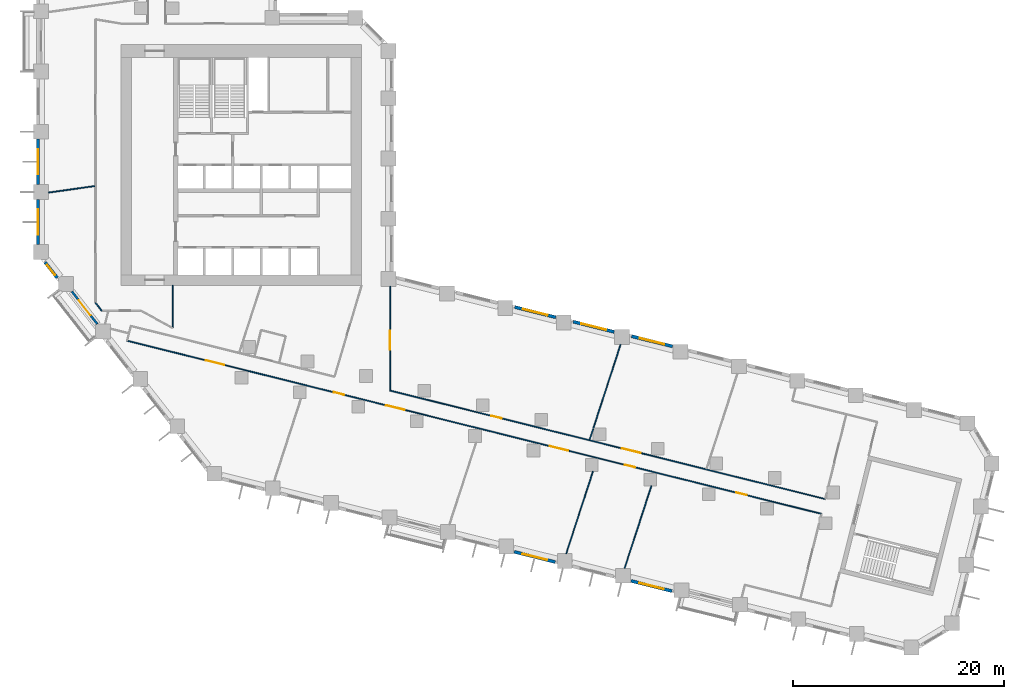
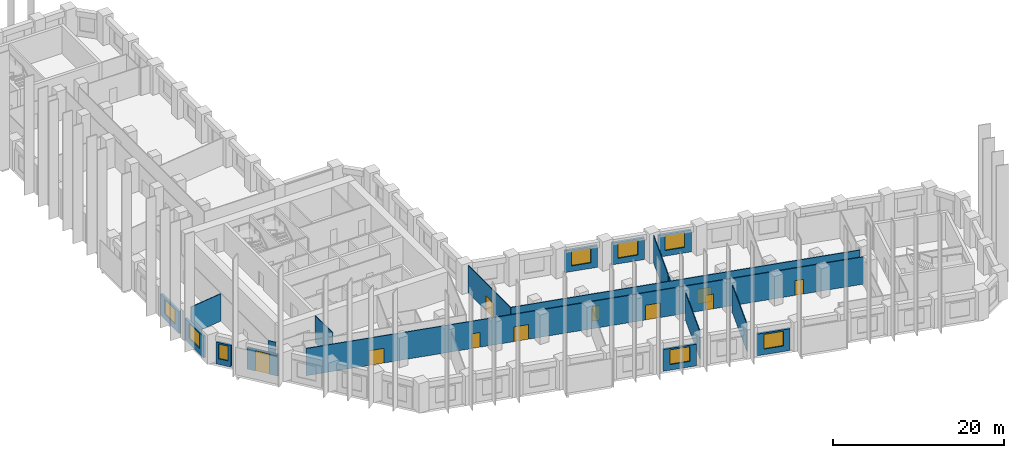
# One storey, part 4 of 12: 19 walls, 10 doors, 8 windows, 18 openings.
"""IFC4 building model written with IfcOpenShell, lengths in metres."""

import ifcopenshell
import ifcopenshell.guid

model = None  # the IFC model being written
_history = None  # IfcOwnerHistory: only IFC2X3 demands one
_inside = {}  # id of a spatial element -> (the spatial element, [elements in it])
_under = {}  # id of a project, library or spatial element -> (it, [spatial elements below it])
_declared = {}  # id of a project -> (the project, [libraries it declares])
_typed = {}  # id of a type object -> (the type object, [elements of that type])
_made_of = {}  # id of a material, layer set ... -> (it, [elements and type objects made of it])


def new_model(schema):
    """Start an empty IFC model of exactly this schema.

    Asked for "IFC4X3", IfcOpenShell would pick the latest addendum, in which some entities
    have other attributes; the version numbers below select the first issue.
    IFC2X3 requires an IfcOwnerHistory on every rooted entity: one is made here for all.
    """
    global model, _history
    if schema == "IFC4X3":
        model = ifcopenshell.file(schema_version=(4, 3, 0, 0))
    else:
        model = ifcopenshell.file(schema=schema)
    _inside.clear()
    _under.clear()
    _declared.clear()
    _typed.clear()
    _made_of.clear()
    _history = None
    if model.schema == "IFC2X3":
        org = make("IfcOrganization", Name="unknown")
        user = make(
            "IfcPersonAndOrganization",
            ThePerson=make("IfcPerson", FamilyName="unknown"),
            TheOrganization=org,
        )
        app = make(
            "IfcApplication",
            ApplicationDeveloper=org,
            Version="unknown",
            ApplicationFullName="unknown",
            ApplicationIdentifier="unknown",
        )
        _history = make(
            "IfcOwnerHistory",
            OwningUser=user,
            OwningApplication=app,
            ChangeAction="ADDED",
            CreationDate=0,
        )
    return model


def make(cls, **values):
    """One entity of the class cls with the attributes given. An attribute that is None is left unset."""
    return model.create_entity(
        cls, **{name: value for name, value in values.items() if value is not None}
    )


def rooted(cls, **values):
    """An entity with a GlobalId (a new one), such as an element, a storey or a relation."""
    return make(cls, GlobalId=ifcopenshell.guid.new(), OwnerHistory=_history, **values)


def si_unit(unit_type, name, prefix=None):
    """IfcSIUnit, for example si_unit("LENGTHUNIT", "METRE", prefix="MILLI")."""
    return make("IfcSIUnit", UnitType=unit_type, Prefix=prefix, Name=name)


def assignment(units):
    """IfcUnitAssignment: the units of a project."""
    return None if units is None else make("IfcUnitAssignment", Units=units)


def point(xyz):
    """IfcCartesianPoint."""
    return None if xyz is None else make("IfcCartesianPoint", Coordinates=xyz)


def direction(xyz):
    """IfcDirection."""
    return None if xyz is None else make("IfcDirection", DirectionRatios=xyz)


def frame(location, z_axis=None, x_axis=None):
    """IfcAxis2Placement3D, a coordinate frame: its origin and axes. An axis left out is left unset."""
    return make(
        "IfcAxis2Placement3D",
        Location=point(location),
        Axis=direction(z_axis),
        RefDirection=direction(x_axis),
    )


def frame_2d(location, x_axis=None):
    """IfcAxis2Placement2D, a coordinate frame in the plane: its origin and x axis."""
    return make(
        "IfcAxis2Placement2D", Location=point(location), RefDirection=direction(x_axis)
    )


def origin():
    """The frame at (0, 0, 0) with its axes left unset."""
    return frame((0.0, 0.0, 0.0))


def place(relative_to, where):
    """IfcLocalPlacement: puts the frame where relative to a parent placement (None: the world)."""
    return make(
        "IfcLocalPlacement", PlacementRelTo=relative_to, RelativePlacement=where
    )


def context(
    kind, dimensions, precision=None, world=None, true_north=None, identifier=None
):
    """IfcGeometricRepresentationContext, for example the 3D "Model" context."""
    return make(
        "IfcGeometricRepresentationContext",
        ContextIdentifier=identifier,
        ContextType=kind,
        CoordinateSpaceDimension=dimensions,
        Precision=precision,
        WorldCoordinateSystem=world,
        TrueNorth=true_north,
    )


def subcontext(parent, identifier, kind, view, scale=None):
    """IfcGeometricRepresentationSubContext, for example "Body" below "Model"."""
    return make(
        "IfcGeometricRepresentationSubContext",
        ContextIdentifier=identifier,
        ContextType=kind,
        ParentContext=parent,
        TargetScale=scale,
        TargetView=view,
    )


def project(units=None, contexts=None):
    """IfcProject with its units and contexts."""
    return rooted(
        "IfcProject",
        Name="project",
        RepresentationContexts=contexts,
        UnitsInContext=assignment(units),
    )


def spatial(cls, under=None, at=None, **own):
    """A site, building, storey or space (cls), placed at a placement, below another one or the project."""
    s = rooted(cls, ObjectPlacement=at, **own)
    if under is not None:
        _under.setdefault(under.id(), (under, []))[1].append(s)
    return s


def profile(cls, at=None, kind="AREA", **sizes):
    """A parametric profile (cls). Its sizes go by their IFC names, for example OverallWidth=200.0."""
    return make(cls, ProfileType=kind, Position=at, **sizes)


def rectangle(**sizes):
    """IfcRectangleProfileDef."""
    return profile("IfcRectangleProfileDef", **sizes)


def extrude(swept, where, along, depth):
    """IfcExtrudedAreaSolid: the profile swept, set in the frame where, extruded along a direction by depth."""
    return make(
        "IfcExtrudedAreaSolid",
        SweptArea=swept,
        Position=where,
        ExtrudedDirection=direction(along),
        Depth=depth,
    )


def shape(context_of_items, identifier, shape_type, items):
    """IfcShapeRepresentation: the items that make up one representation, for example the "Body"."""
    return make(
        "IfcShapeRepresentation",
        ContextOfItems=context_of_items,
        RepresentationIdentifier=identifier,
        RepresentationType=shape_type,
        Items=items,
    )


def material(Name=None, Category=None):
    """IfcMaterial."""
    return make("IfcMaterial", Name=Name, Category=Category)


def layer(
    of_material, thickness, ventilated=None, Name=None, Category=None, Priority=None
):
    """IfcMaterialLayer: one layer of a wall or slab, of a material (None: an air gap)."""
    return make(
        "IfcMaterialLayer",
        Material=of_material,
        LayerThickness=thickness,
        IsVentilated=ventilated,
        Name=Name,
        Category=Category,
        Priority=Priority,
    )


def layer_set(layers, Name=None):
    """IfcMaterialLayerSet."""
    return make("IfcMaterialLayerSet", MaterialLayers=layers, LayerSetName=Name)


def made_of(thing, what):
    """Note that an element or type object is made of a material, layer set ...; save() writes the relation."""
    if what is not None:
        _made_of.setdefault(what.id(), (what, []))[1].append(thing)
    return thing


def type_object(cls, material=None, **own):
    """A type object (cls), such as IfcWallType, which elements share."""
    return made_of(rooted(cls, **own), material)


def element(
    cls,
    number,
    at=None,
    inside=None,
    cuts=None,
    type_object=None,
    material=None,
    context=None,
    identifier="Body",
    shape_type=None,
    held_by="IfcProductDefinitionShape",
    body=None,
    shapes=None,
    **own,
):
    """One element of the class cls, such as IfcWall. Its Tag is "e" and its number.

    at: its placement. inside: the storey or other place that contains it. cuts: it is an
    opening in that element (IfcRelVoidsElement). A single representation is given by context,
    identifier, shape_type and body (its items); several are given by shapes. held_by: the class
    of the entity that holds the representations. save() writes the other relations.
    """
    e = rooted(cls, Tag="e%d" % number, ObjectPlacement=at, **own)
    if body is not None:
        shapes = [shape(context, identifier, shape_type, body)]
    if shapes is not None:
        e.Representation = make(held_by, Representations=shapes)
    if inside is not None:
        _inside.setdefault(inside.id(), (inside, []))[1].append(e)
    if cuts is not None:
        rooted(
            "IfcRelVoidsElement", RelatingBuildingElement=cuts, RelatedOpeningElement=e
        )
    if type_object is not None:
        _typed.setdefault(type_object.id(), (type_object, []))[1].append(e)
    return made_of(e, material)


def fill(opening, filler):
    """IfcRelFillsElement: the door or window that sits in an opening."""
    return rooted(
        "IfcRelFillsElement",
        RelatingOpeningElement=opening,
        RelatedBuildingElement=filler,
    )


def aggregate(whole, parts):
    """IfcRelAggregates: a whole, such as a stair, and the parts it consists of."""
    return rooted("IfcRelAggregates", RelatingObject=whole, RelatedObjects=parts)


def save(model, path):
    """Write the relations noted so far, then the file.

    IfcRelAggregates (storeys below a building ...), IfcRelContainedInSpatialStructure (elements
    in a storey), IfcRelDefinesByType, IfcRelAssociatesMaterial and IfcRelDeclares: one each for
    every whole, place, type object, material and project.
    """
    for whole, parts in _under.values():
        aggregate(whole, parts)
    for where, things in _inside.values():
        rooted(
            "IfcRelContainedInSpatialStructure",
            RelatedElements=things,
            RelatingStructure=where,
        )
    for kind, things in _typed.values():
        rooted("IfcRelDefinesByType", RelatedObjects=things, RelatingType=kind)
    for what, things in _made_of.values():
        rooted("IfcRelAssociatesMaterial", RelatedObjects=things, RelatingMaterial=what)
    for by, libraries in _declared.values():
        rooted("IfcRelDeclares", RelatingContext=by, RelatedDefinitions=libraries)
    model.write(path)


model = new_model("IFC4")

# Units and contexts
model_context = context("Model", 3, precision=1e-05, world=origin(), true_north=direction((0.0, 1.0)))
body_context = subcontext(model_context, "Body", "Model", "MODEL_VIEW")
ifc_project = project(units=[si_unit("LENGTHUNIT", "METRE"), si_unit("AREAUNIT", "SQUARE_METRE"), si_unit("VOLUMEUNIT", "CUBIC_METRE"), si_unit("PLANEANGLEUNIT", "RADIAN"), si_unit("MASSUNIT", "GRAM", prefix="KILO")], contexts=[model_context])

# Site, building, storey
site_placement = place(None, origin())
site = spatial("IfcSite", under=ifc_project, at=site_placement, CompositionType="ELEMENT")
building_placement = place(site_placement, origin())
building = spatial("IfcBuilding", under=site, at=building_placement, Name="Meshkara Civic Tower", CompositionType="ELEMENT")
storey_placement = place(building_placement, frame((0.0, 0.0, 66.60009765625)))
storey = spatial("IfcBuildingStorey", under=building, at=storey_placement, Name="L14", CompositionType="ELEMENT", Elevation=66.60009765625)

# Wall
ifc_material_1 = material(Name="Corridor wall 100")
ifc_layer_1 = layer(ifc_material_1, 0.10009765625)
ifc_layer_set_1 = layer_set([ifc_layer_1], Name="Corridor wall 100")
wall_type_1 = type_object("IfcWallType", Name="Corridor wall 100", PredefinedType="PARTITIONING", material=ifc_layer_set_1)
wall_1_placement = place(storey_placement, frame((5.60009765625, 12.448974609375, 0.0), z_axis=(0.0, 0.0, 1.0), x_axis=(0.615504449569, -0.788133410383, 0.0)))
element("IfcWall", 1, at=wall_1_placement, inside=storey, type_object=wall_type_1, Name="L14-W003", PredefinedType="PARTITIONING", context=body_context, shape_type="SweptSolid", body=[
    extrude(rectangle(XDim=0.950439453125, YDim=0.10009765625, at=frame_2d((0.47509765625, 0.0))), origin(), (0.0, 0.0, 1.0), 3.89990234375),
])

# Wall, openings, doors
wall_2_placement = place(storey_placement, frame((8.593994140625, 8.862060546875, 0.0), z_axis=(0.0, 0.0, 1.0), x_axis=(0.970293392615, -0.241931255211, 0.0)))
wall_2 = element("IfcWall", 2, at=wall_2_placement, inside=storey, type_object=wall_type_1, Name="L14-W008", PredefinedType="PARTITIONING", context=body_context, shape_type="SweptSolid", body=[
    extrude(rectangle(XDim=67.775390625, YDim=0.10009765625, at=frame_2d((33.8876953125, 0.0))), origin(), (0.0, 0.0, 1.0), 3.89990234375),
])
opening_1_placement = place(wall_2_placement, frame((41.27099609375, 0.0, 0.0)))
opening_1 = element("IfcOpeningElement", 3, at=opening_1_placement, cuts=wall_2, Name="Opening L14-D003", PredefinedType="OPENING", context=body_context, shape_type="SweptSolid", body=[
    extrude(rectangle(XDim=1.800048828125, YDim=2.10009765625, at=frame_2d((0.89990234375, 1.050048828125))), frame((0.0, 0.06005859375, 0.0), z_axis=(0.0, -1.0, 0.0), x_axis=(1.0, 0.0, 0.0)), (0.0, 0.0, 1.0), 0.1201171875),
])
opening_2_placement = place(wall_2_placement, frame((48.571044921875, 0.0, 0.0)))
opening_2 = element("IfcOpeningElement", 4, at=opening_2_placement, cuts=wall_2, Name="Opening L14-D004", PredefinedType="OPENING", context=body_context, shape_type="SweptSolid", body=[
    extrude(rectangle(XDim=1.0, YDim=2.10009765625, at=frame_2d((0.5, 1.050048828125))), frame((0.0, 0.06005859375, 0.0), z_axis=(0.0, -1.0, 0.0), x_axis=(1.0, 0.0, 0.0)), (0.0, 0.0, 1.0), 0.1201171875),
])
opening_3_placement = place(wall_2_placement, frame((59.470947265625, 0.0, 0.0)))
opening_3 = element("IfcOpeningElement", 5, at=opening_3_placement, cuts=wall_2, Name="Opening L14-D006", PredefinedType="OPENING", context=body_context, shape_type="SweptSolid", body=[
    extrude(rectangle(XDim=1.0, YDim=2.10009765625, at=frame_2d((0.5, 1.050048828125))), frame((0.0, 0.06005859375, 0.0), z_axis=(0.0, -1.0, 0.0), x_axis=(1.0, 0.0, 0.0)), (0.0, 0.0, 1.0), 0.1201171875),
])
opening_4_placement = place(wall_2_placement, frame((20.1708984375, 0.0, 0.0)))
opening_4 = element("IfcOpeningElement", 6, at=opening_4_placement, cuts=wall_2, Name="Opening L14-D009", PredefinedType="OPENING", context=body_context, shape_type="SweptSolid", body=[
    extrude(rectangle(XDim=1.0, YDim=2.10009765625, at=frame_2d((0.5, 1.050048828125))), frame((0.0, 0.06005859375, 0.0), z_axis=(0.0, -1.0, 0.0), x_axis=(1.0, 0.0, 0.0)), (0.0, 0.0, 1.0), 0.1201171875),
])
opening_5_placement = place(wall_2_placement, frame((25.27099609375, 0.0, 0.0)))
opening_5 = element("IfcOpeningElement", 7, at=opening_5_placement, cuts=wall_2, Name="Opening L14-D010", PredefinedType="OPENING", context=body_context, shape_type="SweptSolid", body=[
    extrude(rectangle(XDim=1.800048828125, YDim=2.10009765625, at=frame_2d((0.89990234375, 1.050048828125))), frame((0.0, 0.06005859375, 0.0), z_axis=(0.0, -1.0, 0.0), x_axis=(1.0, 0.0, 0.0)), (0.0, 0.0, 1.0), 0.1201171875),
])
opening_6_placement = place(wall_2_placement, frame((7.679931640625, 0.0, 0.0)))
opening_6 = element("IfcOpeningElement", 8, at=opening_6_placement, cuts=wall_2, Name="Opening L14-D013", PredefinedType="OPENING", context=body_context, shape_type="SweptSolid", body=[
    extrude(rectangle(XDim=1.800048828125, YDim=2.10009765625, at=frame_2d((0.89990234375, 1.050048828125))), frame((0.0, 0.06005859375, 0.0), z_axis=(0.0, -1.0, 0.0), x_axis=(1.0, 0.0, 0.0)), (0.0, 0.0, 1.0), 0.1201171875),
])
ifc_material_2 = material(Name="Door 1000 x 2100")
door_type_1 = type_object("IfcDoorType", Name="Door 1000 x 2100", OperationType="SINGLE_SWING_LEFT", PredefinedType="DOOR", material=ifc_material_2)
door_1_placement = place(opening_2_placement, origin())
door_1 = element("IfcDoor", 9, at=door_1_placement, inside=storey, type_object=door_type_1, Name="L14-D004", OperationType="SINGLE_SWING_LEFT", OverallHeight=2.10009765625, OverallWidth=1.0, PredefinedType="DOOR", context=body_context, shape_type="SweptSolid", body=[
    extrude(rectangle(XDim=1.0, YDim=2.10009765625, at=frame_2d((0.5, 1.050048828125))), frame((0.0, 0.02490234375, 0.0), z_axis=(0.0, -1.0, 0.0), x_axis=(1.0, 0.0, 0.0)), (0.0, 0.0, 1.0), 0.050048828125),
])
fill(opening_2, door_1)
door_2_placement = place(opening_3_placement, origin())
door_2 = element("IfcDoor", 10, at=door_2_placement, inside=storey, type_object=door_type_1, Name="L14-D006", OperationType="SINGLE_SWING_LEFT", OverallHeight=2.10009765625, OverallWidth=1.0, PredefinedType="DOOR", context=body_context, shape_type="SweptSolid", body=[
    extrude(rectangle(XDim=1.0, YDim=2.10009765625, at=frame_2d((0.5, 1.050048828125))), frame((0.0, 0.02490234375, 0.0), z_axis=(0.0, -1.0, 0.0), x_axis=(1.0, 0.0, 0.0)), (0.0, 0.0, 1.0), 0.050048828125),
])
fill(opening_3, door_2)
door_3_placement = place(opening_4_placement, origin())
door_3 = element("IfcDoor", 11, at=door_3_placement, inside=storey, type_object=door_type_1, Name="L14-D009", OperationType="SINGLE_SWING_RIGHT", OverallHeight=2.10009765625, OverallWidth=1.0, PredefinedType="DOOR", context=body_context, shape_type="SweptSolid", body=[
    extrude(rectangle(XDim=1.0, YDim=2.10009765625, at=frame_2d((0.5, 1.050048828125))), frame((0.0, 0.02490234375, 0.0), z_axis=(0.0, -1.0, 0.0), x_axis=(1.0, 0.0, 0.0)), (0.0, 0.0, 1.0), 0.050048828125),
])
fill(opening_4, door_3)
ifc_material_3 = material(Name="Door pair 1800 x 2100")
door_type_2 = type_object("IfcDoorType", Name="Door pair 1800 x 2100", OperationType="SINGLE_SWING_LEFT", PredefinedType="DOOR", material=ifc_material_3)
door_4_placement = place(opening_1_placement, origin())
door_4 = element("IfcDoor", 12, at=door_4_placement, inside=storey, type_object=door_type_2, Name="L14-D003", OperationType="DOUBLE_DOOR_SINGLE_SWING", OverallHeight=2.10009765625, OverallWidth=1.800048828125, PredefinedType="DOOR", context=body_context, shape_type="SweptSolid", body=[
    extrude(rectangle(XDim=1.800048828125, YDim=2.10009765625, at=frame_2d((0.89990234375, 1.050048828125))), frame((0.0, 0.02490234375, 0.0), z_axis=(0.0, -1.0, 0.0), x_axis=(1.0, 0.0, 0.0)), (0.0, 0.0, 1.0), 0.050048828125),
])
fill(opening_1, door_4)
door_5_placement = place(opening_5_placement, origin())
door_5 = element("IfcDoor", 13, at=door_5_placement, inside=storey, type_object=door_type_2, Name="L14-D010", OperationType="DOUBLE_DOOR_SINGLE_SWING", OverallHeight=2.10009765625, OverallWidth=1.800048828125, PredefinedType="DOOR", context=body_context, shape_type="SweptSolid", body=[
    extrude(rectangle(XDim=1.800048828125, YDim=2.10009765625, at=frame_2d((0.89990234375, 1.050048828125))), frame((0.0, 0.02490234375, 0.0), z_axis=(0.0, -1.0, 0.0), x_axis=(1.0, 0.0, 0.0)), (0.0, 0.0, 1.0), 0.050048828125),
])
fill(opening_5, door_5)
door_6_placement = place(opening_6_placement, origin())
door_6 = element("IfcDoor", 14, at=door_6_placement, inside=storey, type_object=door_type_2, Name="L14-D013", OperationType="DOUBLE_DOOR_SINGLE_SWING", OverallHeight=2.10009765625, OverallWidth=1.800048828125, PredefinedType="DOOR", context=body_context, shape_type="SweptSolid", body=[
    extrude(rectangle(XDim=1.800048828125, YDim=2.10009765625, at=frame_2d((0.89990234375, 1.050048828125))), frame((0.0, 0.02490234375, 0.0), z_axis=(0.0, -1.0, 0.0), x_axis=(1.0, 0.0, 0.0)), (0.0, 0.0, 1.0), 0.050048828125),
])
fill(opening_6, door_6)

# Wall
wall_3_placement = place(storey_placement, frame((12.89990234375, 10.077880859375, 0.0), z_axis=(0.0, 0.0, 1.0), x_axis=(0.0, 1.0, 0.0)))
element("IfcWall", 15, at=wall_3_placement, inside=storey, type_object=wall_type_1, Name="L14-W015", PredefinedType="PARTITIONING", context=body_context, shape_type="SweptSolid", body=[
    extrude(rectangle(XDim=4.022216796875, YDim=0.10009765625, at=frame_2d((2.01123046875, 0.0))), origin(), (0.0, 0.0, 1.0), 3.89990234375),
])

# Wall, openings, doors
wall_4_placement = place(storey_placement, frame((33.5, 4.14111328125, 0.0), z_axis=(0.0, 0.0, 1.0), x_axis=(0.970297862511, -0.241913327467, 0.0)))
wall_4 = element("IfcWall", 16, at=wall_4_placement, inside=storey, type_object=wall_type_1, Name="L14-W022", PredefinedType="PARTITIONING", context=body_context, shape_type="SweptSolid", body=[
    extrude(rectangle(XDim=42.46630859375, YDim=0.10009765625, at=frame_2d((21.233154296875, 0.0))), origin(), (0.0, 0.0, 1.0), 3.89990234375),
])
opening_7_placement = place(wall_4_placement, frame((22.64111328125, 0.0, 0.0)))
opening_7 = element("IfcOpeningElement", 17, at=opening_7_placement, cuts=wall_4, Name="Opening L14-D005", PredefinedType="OPENING", context=body_context, shape_type="SweptSolid", body=[
    extrude(rectangle(XDim=1.800048828125, YDim=2.10009765625, at=frame_2d((0.89990234375, 1.050048828125))), frame((0.0, 0.06005859375, 0.0), z_axis=(0.0, -1.0, 0.0), x_axis=(1.0, 0.0, 0.0)), (0.0, 0.0, 1.0), 0.1201171875),
])
opening_8_placement = place(wall_4_placement, frame((9.8798828125, 0.0, 0.0)))
opening_8 = element("IfcOpeningElement", 18, at=opening_8_placement, cuts=wall_4, Name="Opening L14-D011", PredefinedType="OPENING", context=body_context, shape_type="SweptSolid", body=[
    extrude(rectangle(XDim=1.0, YDim=2.10009765625, at=frame_2d((0.5, 1.050048828125))), frame((0.0, 0.06005859375, 0.0), z_axis=(0.0, -1.0, 0.0), x_axis=(1.0, 0.0, 0.0)), (0.0, 0.0, 1.0), 0.1201171875),
])
door_7_placement = place(opening_8_placement, origin())
door_7 = element("IfcDoor", 19, at=door_7_placement, inside=storey, type_object=door_type_1, Name="L14-D011", OperationType="SINGLE_SWING_RIGHT", OverallHeight=2.10009765625, OverallWidth=1.0, PredefinedType="DOOR", context=body_context, shape_type="SweptSolid", body=[
    extrude(rectangle(XDim=1.0, YDim=2.10009765625, at=frame_2d((0.5, 1.050048828125))), frame((0.0, 0.02490234375, 0.0), z_axis=(0.0, -1.0, 0.0), x_axis=(1.0, 0.0, 0.0)), (0.0, 0.0, 1.0), 0.050048828125),
])
fill(opening_8, door_7)
door_8_placement = place(opening_7_placement, origin())
door_8 = element("IfcDoor", 20, at=door_8_placement, inside=storey, type_object=door_type_2, Name="L14-D005", OperationType="DOUBLE_DOOR_SINGLE_SWING", OverallHeight=2.10009765625, OverallWidth=1.800048828125, PredefinedType="DOOR", context=body_context, shape_type="SweptSolid", body=[
    extrude(rectangle(XDim=1.800048828125, YDim=2.10009765625, at=frame_2d((0.89990234375, 1.050048828125))), frame((0.0, 0.02490234375, 0.0), z_axis=(0.0, -1.0, 0.0), x_axis=(1.0, 0.0, 0.0)), (0.0, 0.0, 1.0), 0.050048828125),
])
fill(opening_7, door_8)

# Wall, opening, door
wall_5_placement = place(storey_placement, frame((33.5, 4.14111328125, 0.0), z_axis=(0.0, 0.0, 1.0), x_axis=(0.0, 1.0, 0.0)))
wall_5 = element("IfcWall", 21, at=wall_5_placement, inside=storey, type_object=wall_type_1, Name="L14-W023", PredefinedType="PARTITIONING", context=body_context, shape_type="SweptSolid", body=[
    extrude(rectangle(XDim=9.8779296875, YDim=0.10009765625, at=frame_2d((4.93896484375, 0.0))), origin(), (0.0, 0.0, 1.0), 3.89990234375),
])
opening_9_placement = place(wall_5_placement, frame((3.8798828125, 0.0, 0.0)))
opening_9 = element("IfcOpeningElement", 22, at=opening_9_placement, cuts=wall_5, Name="Opening L14-D016", PredefinedType="OPENING", context=body_context, shape_type="SweptSolid", body=[
    extrude(rectangle(XDim=1.800048828125, YDim=2.10009765625, at=frame_2d((0.89990234375, 1.050048828125))), frame((0.0, 0.06005859375, 0.0), z_axis=(0.0, -1.0, 0.0), x_axis=(1.0, 0.0, 0.0)), (0.0, 0.0, 1.0), 0.1201171875),
])
door_9_placement = place(opening_9_placement, origin())
door_9 = element("IfcDoor", 23, at=door_9_placement, inside=storey, type_object=door_type_2, Name="L14-D016", OperationType="DOUBLE_DOOR_SINGLE_SWING", OverallHeight=2.10009765625, OverallWidth=1.800048828125, PredefinedType="DOOR", context=body_context, shape_type="SweptSolid", body=[
    extrude(rectangle(XDim=1.800048828125, YDim=2.10009765625, at=frame_2d((0.89990234375, 1.050048828125))), frame((0.0, 0.02490234375, 0.0), z_axis=(0.0, -1.0, 0.0), x_axis=(1.0, 0.0, 0.0)), (0.0, 0.0, 1.0), 0.050048828125),
])
fill(opening_9, door_9)

# Wall, opening, window
ifc_material_4 = material(Name="Insulated infill panel with bronze anodised aluminium cladding", Category="aluminium")
ifc_layer_2 = layer(ifc_material_4, 0.300048828125)
ifc_layer_set_2 = layer_set([ifc_layer_2], Name="EXTERNAL INFILL WALL 300")
wall_type_2 = type_object("IfcWallType", Name="EXTERNAL INFILL WALL 300", PredefinedType="SOLIDWALL", material=ifc_layer_set_2)
wall_6_placement = place(storey_placement, frame((60.251953125, 8.321044921875, 0.0), z_axis=(0.0, 0.0, 1.0), x_axis=(-0.970303772127, 0.241889623168, 0.0)))
wall_6 = element("IfcWall", 24, at=wall_6_placement, inside=storey, type_object=wall_type_2, Name="External wall", PredefinedType="SOLIDWALL", context=body_context, shape_type="SweptSolid", body=[
    extrude(rectangle(XDim=4.001953125, YDim=0.300048828125, at=frame_2d((2.0009765625, 0.0))), origin(), (0.0, 0.0, 1.0), 3.099853515625),
])
opening_10_placement = place(wall_6_placement, frame((0.801025390625, 0.0, 0.800048828125)))
opening_10 = element("IfcOpeningElement", 25, at=opening_10_placement, cuts=wall_6, Name="Opening W7", PredefinedType="OPENING", context=body_context, shape_type="SweptSolid", body=[
    extrude(rectangle(XDim=2.39990234375, YDim=2.10009765625, at=frame_2d((1.199951171875, 1.050048828125))), frame((0.0, 0.159912109375, 0.0), z_axis=(0.0, -1.0, 0.0), x_axis=(1.0, 0.0, 0.0)), (0.0, 0.0, 1.0), 0.320068359375),
])
ifc_material_5 = material(Name="Tinted double glazing", Category="glass")
window_type_1 = type_object("IfcWindowType", Name="WINDOW 2400x2100", PartitioningType="DOUBLE_PANEL_VERTICAL", PredefinedType="WINDOW", material=ifc_material_5)
window_1_placement = place(opening_10_placement, origin())
window_1 = element("IfcWindow", 26, at=window_1_placement, inside=storey, type_object=window_type_1, Name="Window", OverallHeight=2.10009765625, OverallWidth=2.39990234375, PartitioningType="DOUBLE_PANEL_VERTICAL", PredefinedType="WINDOW", context=body_context, shape_type="SweptSolid", body=[
    extrude(rectangle(XDim=2.39990234375, YDim=2.10009765625, at=frame_2d((1.199951171875, 1.050048828125))), frame((0.0, 0.030029296875, 0.0), z_axis=(0.0, -1.0, 0.0), x_axis=(1.0, 0.0, 0.0)), (0.0, 0.0, 1.0), 0.06005859375),
])
fill(opening_10, window_1)

wall_7_placement = place(storey_placement, frame((54.721923828125, 9.699951171875, 0.0), z_axis=(0.0, 0.0, 1.0), x_axis=(-0.970318045095, 0.24183236211, 0.0)))
wall_7 = element("IfcWall", 27, at=wall_7_placement, inside=storey, type_object=wall_type_2, Name="External wall", PredefinedType="SOLIDWALL", context=body_context, shape_type="SweptSolid", body=[
    extrude(rectangle(XDim=4.0029296875, YDim=0.300048828125, at=frame_2d((2.00146484375, 0.0))), origin(), (0.0, 0.0, 1.0), 3.099853515625),
])
opening_11_placement = place(wall_7_placement, frame((0.802001953125, 0.0, 0.800048828125)))
opening_11 = element("IfcOpeningElement", 28, at=opening_11_placement, cuts=wall_7, Name="Opening W7", PredefinedType="OPENING", context=body_context, shape_type="SweptSolid", body=[
    extrude(rectangle(XDim=2.39990234375, YDim=2.10009765625, at=frame_2d((1.199951171875, 1.050048828125))), frame((0.0, 0.159912109375, 0.0), z_axis=(0.0, -1.0, 0.0), x_axis=(1.0, 0.0, 0.0)), (0.0, 0.0, 1.0), 0.320068359375),
])
window_2_placement = place(opening_11_placement, origin())
window_2 = element("IfcWindow", 29, at=window_2_placement, inside=storey, type_object=window_type_1, Name="Window", OverallHeight=2.10009765625, OverallWidth=2.39990234375, PartitioningType="DOUBLE_PANEL_VERTICAL", PredefinedType="WINDOW", context=body_context, shape_type="SweptSolid", body=[
    extrude(rectangle(XDim=2.39990234375, YDim=2.10009765625, at=frame_2d((1.199951171875, 1.050048828125))), frame((0.0, 0.030029296875, 0.0), z_axis=(0.0, -1.0, 0.0), x_axis=(1.0, 0.0, 0.0)), (0.0, 0.0, 1.0), 0.06005859375),
])
fill(opening_11, window_2)

wall_8_placement = place(storey_placement, frame((49.19091796875, 11.0791015625, 0.0), z_axis=(0.0, 0.0, 1.0), x_axis=(-0.970318045095, 0.24183236211, 0.0)))
wall_8 = element("IfcWall", 30, at=wall_8_placement, inside=storey, type_object=wall_type_2, Name="External wall", PredefinedType="SOLIDWALL", context=body_context, shape_type="SweptSolid", body=[
    extrude(rectangle(XDim=4.0029296875, YDim=0.300048828125, at=frame_2d((2.00146484375, 0.0))), origin(), (0.0, 0.0, 1.0), 3.099853515625),
])
opening_12_placement = place(wall_8_placement, frame((0.802001953125, 0.0, 0.800048828125)))
opening_12 = element("IfcOpeningElement", 31, at=opening_12_placement, cuts=wall_8, Name="Opening W7", PredefinedType="OPENING", context=body_context, shape_type="SweptSolid", body=[
    extrude(rectangle(XDim=2.39990234375, YDim=2.10009765625, at=frame_2d((1.199951171875, 1.050048828125))), frame((0.0, 0.159912109375, 0.0), z_axis=(0.0, -1.0, 0.0), x_axis=(1.0, 0.0, 0.0)), (0.0, 0.0, 1.0), 0.320068359375),
])
window_3_placement = place(opening_12_placement, origin())
window_3 = element("IfcWindow", 32, at=window_3_placement, inside=storey, type_object=window_type_1, Name="Window", OverallHeight=2.10009765625, OverallWidth=2.39990234375, PartitioningType="DOUBLE_PANEL_VERTICAL", PredefinedType="WINDOW", context=body_context, shape_type="SweptSolid", body=[
    extrude(rectangle(XDim=2.39990234375, YDim=2.10009765625, at=frame_2d((1.199951171875, 1.050048828125))), frame((0.0, 0.030029296875, 0.0), z_axis=(0.0, -1.0, 0.0), x_axis=(1.0, 0.0, 0.0)), (0.0, 0.0, 1.0), 0.06005859375),
])
fill(opening_12, window_3)

wall_9_placement = place(storey_placement, frame((0.14990234375, 27.955078125, 0.0), z_axis=(0.0, 0.0, 1.0), x_axis=(0.0, -1.0, 0.0)))
wall_9 = element("IfcWall", 33, at=wall_9_placement, inside=storey, type_object=wall_type_2, Name="External wall", PredefinedType="SOLIDWALL", context=body_context, shape_type="SweptSolid", body=[
    extrude(rectangle(XDim=4.300048828125, YDim=0.300048828125, at=frame_2d((2.14990234375, 0.0))), origin(), (0.0, 0.0, 1.0), 3.099853515625),
])
opening_13_placement = place(wall_9_placement, frame((0.949951171875, 0.0, 0.800048828125)))
opening_13 = element("IfcOpeningElement", 34, at=opening_13_placement, cuts=wall_9, Name="Opening W7", PredefinedType="OPENING", context=body_context, shape_type="SweptSolid", body=[
    extrude(rectangle(XDim=2.39990234375, YDim=2.10009765625, at=frame_2d((1.199951171875, 1.050048828125))), frame((0.0, 0.159912109375, 0.0), z_axis=(0.0, -1.0, 0.0), x_axis=(1.0, 0.0, 0.0)), (0.0, 0.0, 1.0), 0.320068359375),
])
window_4_placement = place(opening_13_placement, origin())
window_4 = element("IfcWindow", 35, at=window_4_placement, inside=storey, type_object=window_type_1, Name="Window", OverallHeight=2.10009765625, OverallWidth=2.39990234375, PartitioningType="DOUBLE_PANEL_VERTICAL", PredefinedType="WINDOW", context=body_context, shape_type="SweptSolid", body=[
    extrude(rectangle(XDim=2.39990234375, YDim=2.10009765625, at=frame_2d((1.199951171875, 1.050048828125))), frame((0.0, 0.030029296875, 0.0), z_axis=(0.0, -1.0, 0.0), x_axis=(1.0, 0.0, 0.0)), (0.0, 0.0, 1.0), 0.06005859375),
])
fill(opening_13, window_4)

wall_10_placement = place(storey_placement, frame((0.14990234375, 22.2548828125, 0.0), z_axis=(0.0, 0.0, 1.0), x_axis=(0.0, -1.0, 0.0)))
wall_10 = element("IfcWall", 36, at=wall_10_placement, inside=storey, type_object=wall_type_2, Name="External wall", PredefinedType="SOLIDWALL", context=body_context, shape_type="SweptSolid", body=[
    extrude(rectangle(XDim=4.2998046875, YDim=0.300048828125, at=frame_2d((2.14990234375, 0.0))), origin(), (0.0, 0.0, 1.0), 3.099853515625),
])
opening_14_placement = place(wall_10_placement, frame((0.949951171875, 0.0, 0.800048828125)))
opening_14 = element("IfcOpeningElement", 37, at=opening_14_placement, cuts=wall_10, Name="Opening W7", PredefinedType="OPENING", context=body_context, shape_type="SweptSolid", body=[
    extrude(rectangle(XDim=2.39990234375, YDim=2.10009765625, at=frame_2d((1.199951171875, 1.050048828125))), frame((0.0, 0.159912109375, 0.0), z_axis=(0.0, -1.0, 0.0), x_axis=(1.0, 0.0, 0.0)), (0.0, 0.0, 1.0), 0.320068359375),
])
window_5_placement = place(opening_14_placement, origin())
window_5 = element("IfcWindow", 38, at=window_5_placement, inside=storey, type_object=window_type_1, Name="Window", OverallHeight=2.10009765625, OverallWidth=2.39990234375, PartitioningType="DOUBLE_PANEL_VERTICAL", PredefinedType="WINDOW", context=body_context, shape_type="SweptSolid", body=[
    extrude(rectangle(XDim=2.39990234375, YDim=2.10009765625, at=frame_2d((1.199951171875, 1.050048828125))), frame((0.0, 0.030029296875, 0.0), z_axis=(0.0, -1.0, 0.0), x_axis=(1.0, 0.0, 0.0)), (0.0, 0.0, 1.0), 0.06005859375),
])
fill(opening_14, window_5)

wall_11_placement = place(storey_placement, frame((0.818115234375, 16.2958984375, 0.0), z_axis=(0.0, 0.0, 1.0), x_axis=(0.615985155343, -0.787757759973, 0.0)))
wall_11 = element("IfcWall", 39, at=wall_11_placement, inside=storey, type_object=wall_type_2, Name="External wall", PredefinedType="SOLIDWALL", context=body_context, shape_type="SweptSolid", body=[
    extrude(rectangle(XDim=1.874755859375, YDim=0.300048828125, at=frame_2d((0.9375, 0.0))), origin(), (0.0, 0.0, 1.0), 3.099853515625),
])
opening_15_placement = place(wall_11_placement, frame((0.3369140625, 0.0, 0.800048828125)))
opening_15 = element("IfcOpeningElement", 40, at=opening_15_placement, cuts=wall_11, Name="Opening W3", PredefinedType="OPENING", context=body_context, shape_type="SweptSolid", body=[
    extrude(rectangle(XDim=1.199951171875, YDim=2.10009765625, at=frame_2d((0.60009765625, 1.050048828125))), frame((0.0, 0.159912109375, 0.0), z_axis=(0.0, -1.0, 0.0), x_axis=(1.0, 0.0, 0.0)), (0.0, 0.0, 1.0), 0.320068359375),
])
ifc_material_6 = material(Name="Tinted double glazing", Category="glass")
window_type_2 = type_object("IfcWindowType", Name="WINDOW 1200x2100", PartitioningType="SINGLE_PANEL", PredefinedType="WINDOW", material=ifc_material_6)
window_6_placement = place(opening_15_placement, origin())
window_6 = element("IfcWindow", 41, at=window_6_placement, inside=storey, type_object=window_type_2, Name="Window", OverallHeight=2.10009765625, OverallWidth=1.199951171875, PartitioningType="SINGLE_PANEL", PredefinedType="WINDOW", context=body_context, shape_type="SweptSolid", body=[
    extrude(rectangle(XDim=1.199951171875, YDim=2.10009765625, at=frame_2d((0.60009765625, 1.050048828125))), frame((0.0, 0.030029296875, 0.0), z_axis=(0.0, -1.0, 0.0), x_axis=(1.0, 0.0, 0.0)), (0.0, 0.0, 1.0), 0.06005859375),
])
fill(opening_15, window_6)

wall_12_placement = place(storey_placement, frame((45.256103515625, -11.12890625, 0.0), z_axis=(0.0, 0.0, 1.0), x_axis=(0.970300202301, -0.241903942538, 0.0)))
wall_12 = element("IfcWall", 42, at=wall_12_placement, inside=storey, type_object=wall_type_2, Name="External wall", PredefinedType="SOLIDWALL", context=body_context, shape_type="SweptSolid", body=[
    extrude(rectangle(XDim=4.001708984375, YDim=0.300048828125, at=frame_2d((2.0009765625, 0.0))), origin(), (0.0, 0.0, 1.0), 3.099853515625),
])
opening_16_placement = place(wall_12_placement, frame((0.801025390625, 0.0, 0.800048828125)))
opening_16 = element("IfcOpeningElement", 43, at=opening_16_placement, cuts=wall_12, Name="Opening W7", PredefinedType="OPENING", context=body_context, shape_type="SweptSolid", body=[
    extrude(rectangle(XDim=2.39990234375, YDim=2.10009765625, at=frame_2d((1.199951171875, 1.050048828125))), frame((0.0, 0.159912109375, 0.0), z_axis=(0.0, -1.0, 0.0), x_axis=(1.0, 0.0, 0.0)), (0.0, 0.0, 1.0), 0.320068359375),
])
window_7_placement = place(opening_16_placement, origin())
window_7 = element("IfcWindow", 44, at=window_7_placement, inside=storey, type_object=window_type_1, Name="Window", OverallHeight=2.10009765625, OverallWidth=2.39990234375, PartitioningType="DOUBLE_PANEL_VERTICAL", PredefinedType="WINDOW", context=body_context, shape_type="SweptSolid", body=[
    extrude(rectangle(XDim=2.39990234375, YDim=2.10009765625, at=frame_2d((1.199951171875, 1.050048828125))), frame((0.0, 0.030029296875, 0.0), z_axis=(0.0, -1.0, 0.0), x_axis=(1.0, 0.0, 0.0)), (0.0, 0.0, 1.0), 0.06005859375),
])
fill(opening_16, window_7)

wall_13_placement = place(storey_placement, frame((56.31689453125, -13.886962890625, 0.0), z_axis=(0.0, 0.0, 1.0), x_axis=(0.970318045095, -0.24183236211, 0.0)))
wall_13 = element("IfcWall", 45, at=wall_13_placement, inside=storey, type_object=wall_type_2, Name="External wall", PredefinedType="SOLIDWALL", context=body_context, shape_type="SweptSolid", body=[
    extrude(rectangle(XDim=4.0029296875, YDim=0.300048828125, at=frame_2d((2.00146484375, 0.0))), origin(), (0.0, 0.0, 1.0), 3.099853515625),
])
opening_17_placement = place(wall_13_placement, frame((0.802001953125, 0.0, 0.800048828125)))
opening_17 = element("IfcOpeningElement", 46, at=opening_17_placement, cuts=wall_13, Name="Opening W7", PredefinedType="OPENING", context=body_context, shape_type="SweptSolid", body=[
    extrude(rectangle(XDim=2.39990234375, YDim=2.10009765625, at=frame_2d((1.199951171875, 1.050048828125))), frame((0.0, 0.159912109375, 0.0), z_axis=(0.0, -1.0, 0.0), x_axis=(1.0, 0.0, 0.0)), (0.0, 0.0, 1.0), 0.320068359375),
])
window_8_placement = place(opening_17_placement, origin())
window_8 = element("IfcWindow", 47, at=window_8_placement, inside=storey, type_object=window_type_1, Name="Window", OverallHeight=2.10009765625, OverallWidth=2.39990234375, PartitioningType="DOUBLE_PANEL_VERTICAL", PredefinedType="WINDOW", context=body_context, shape_type="SweptSolid", body=[
    extrude(rectangle(XDim=2.39990234375, YDim=2.10009765625, at=frame_2d((1.199951171875, 1.050048828125))), frame((0.0, 0.030029296875, 0.0), z_axis=(0.0, -1.0, 0.0), x_axis=(1.0, 0.0, 0.0)), (0.0, 0.0, 1.0), 0.06005859375),
])
fill(opening_17, window_8)

# Wall, opening, door
ifc_material_7 = material(Name="Insulated infill panel with bronze anodised aluminium cladding", Category="aluminium")
ifc_layer_3 = layer(ifc_material_7, 0.199951171875)
ifc_layer_set_3 = layer_set([ifc_layer_3], Name="LOGGIA BACK WALL 200")
wall_type_3 = type_object("IfcWallType", Name="LOGGIA BACK WALL 200", PredefinedType="SOLIDWALL", material=ifc_layer_set_3)
wall_14_placement = place(storey_placement, frame((3.361083984375, 13.529052734375, 0.0), z_axis=(0.0, 0.0, 1.0), x_axis=(0.615507574125, -0.788130970204, 0.0)))
wall_14 = element("IfcWall", 48, at=wall_14_placement, inside=storey, type_object=wall_type_3, Name="Loggia wall", PredefinedType="SOLIDWALL", context=body_context, shape_type="SweptSolid", body=[
    extrude(rectangle(XDim=3.92333984375, YDim=0.199951171875, at=frame_2d((1.961669921875, 0.0))), origin(), (0.0, 0.0, 1.0), 3.099853515625),
])
opening_18_placement = place(wall_14_placement, frame((1.06103515625, 0.0, 0.0)))
opening_18 = element("IfcOpeningElement", 49, at=opening_18_placement, cuts=wall_14, Name="Opening L14-L003", PredefinedType="OPENING", context=body_context, shape_type="SweptSolid", body=[
    extrude(rectangle(XDim=1.800048828125, YDim=2.89990234375, at=frame_2d((0.89990234375, 1.449951171875))), frame((0.0, 0.10986328125, 0.0), z_axis=(0.0, -1.0, 0.0), x_axis=(1.0, 0.0, 0.0)), (0.0, 0.0, 1.0), 0.219970703125),
])
ifc_material_8 = material(Name="Tinted double glazing", Category="glass")
door_type_3 = type_object("IfcDoorType", Name="LOGGIA DOOR 1800x2900", OperationType="DOUBLE_DOOR_SINGLE_SWING", PredefinedType="DOOR", material=ifc_material_8)
door_10_placement = place(opening_18_placement, origin())
door_10 = element("IfcDoor", 50, at=door_10_placement, inside=storey, type_object=door_type_3, Name="L14-L003", OperationType="DOUBLE_DOOR_SINGLE_SWING", OverallHeight=2.89990234375, OverallWidth=1.800048828125, PredefinedType="DOOR", context=body_context, shape_type="SweptSolid", body=[
    extrude(rectangle(XDim=1.800048828125, YDim=2.89990234375, at=frame_2d((0.89990234375, 1.449951171875))), frame((0.0, 0.02490234375, 0.0), z_axis=(0.0, -1.0, 0.0), x_axis=(1.0, 0.0, 0.0)), (0.0, 0.0, 1.0), 0.050048828125),
])
fill(opening_18, door_10)

# Walls
ifc_material_9 = material(Name="Partition 100")
ifc_layer_4 = layer(ifc_material_9, 0.10009765625)
ifc_layer_set_4 = layer_set([ifc_layer_4], Name="Partition 100")
wall_type_4 = type_object("IfcWallType", Name="Partition 100", PredefinedType="PARTITIONING", material=ifc_layer_set_4)
wall_15_placement = place(storey_placement, frame((5.54296875, 23.509033203125, 0.0), z_axis=(0.0, 0.0, 1.0), x_axis=(-0.990252072439, -0.139286873143, 0.0)))
element("IfcWall", 51, at=wall_15_placement, inside=storey, type_object=wall_type_4, Name="L14-W034", PredefinedType="PARTITIONING", context=body_context, shape_type="SweptSolid", body=[
    extrude(rectangle(XDim=4.436279296875, YDim=0.10009765625, at=frame_2d((2.21826171875, 0.0))), origin(), (0.0, 0.0, 1.0), 3.89990234375),
])
wall_16_placement = place(storey_placement, frame((50.178955078125, -11.31103515625, 0.0), z_axis=(0.0, 0.0, 1.0), x_axis=(0.308964190268, 0.951073671769, 0.0)))
element("IfcWall", 52, at=wall_16_placement, inside=storey, type_object=wall_type_4, Name="L14-W050", PredefinedType="PARTITIONING", context=body_context, shape_type="SweptSolid", body=[
    extrude(rectangle(XDim=8.1982421875, YDim=0.10009765625, at=frame_2d((4.09912109375, 0.0))), origin(), (0.0, 0.0, 1.0), 3.89990234375),
])
wall_17_placement = place(storey_placement, frame((52.39990234375, -0.51611328125, 0.0), z_axis=(0.0, 0.0, 1.0), x_axis=(0.308438532557, 0.95124427548, 0.0)))
element("IfcWall", 53, at=wall_17_placement, inside=storey, type_object=wall_type_4, Name="L14-W051", PredefinedType="PARTITIONING", context=body_context, shape_type="SweptSolid", body=[
    extrude(rectangle(XDim=1.082763671875, YDim=0.10009765625, at=frame_2d((0.54150390625, 0.0))), origin(), (0.0, 0.0, 1.0), 3.89990234375),
])
wall_18_placement = place(storey_placement, frame((52.760986328125, 0.596923828125, 0.0), z_axis=(0.0, 0.0, 1.0), x_axis=(0.308940631074, 0.951081324846, 0.0)))
element("IfcWall", 54, at=wall_18_placement, inside=storey, type_object=wall_type_4, Name="L14-W052", PredefinedType="PARTITIONING", context=body_context, shape_type="SweptSolid", body=[
    extrude(rectangle(XDim=8.312744140625, YDim=0.10009765625, at=frame_2d((4.15625, 0.0))), origin(), (0.0, 0.0, 1.0), 3.89990234375),
])
wall_19_placement = place(storey_placement, frame((55.708984375, -12.68994140625, 0.0), z_axis=(0.0, 0.0, 1.0), x_axis=(0.309045674924, 0.951047196942, 0.0)))
element("IfcWall", 55, at=wall_19_placement, inside=storey, type_object=wall_type_4, Name="L14-W053", PredefinedType="PARTITIONING", context=body_context, shape_type="SweptSolid", body=[
    extrude(rectangle(XDim=8.19921875, YDim=0.10009765625, at=frame_2d((4.099609375, 0.0))), origin(), (0.0, 0.0, 1.0), 3.89990234375),
])

save(model, "model.ifc")
